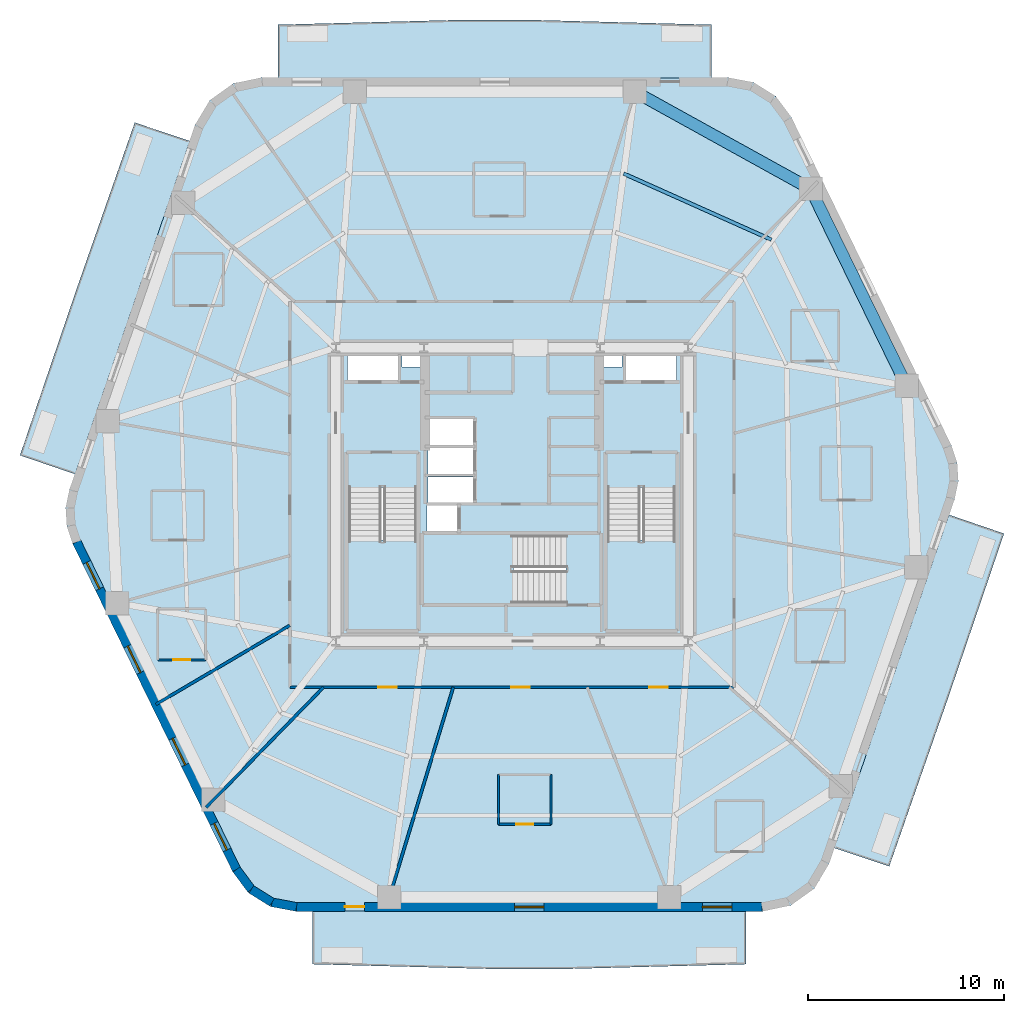
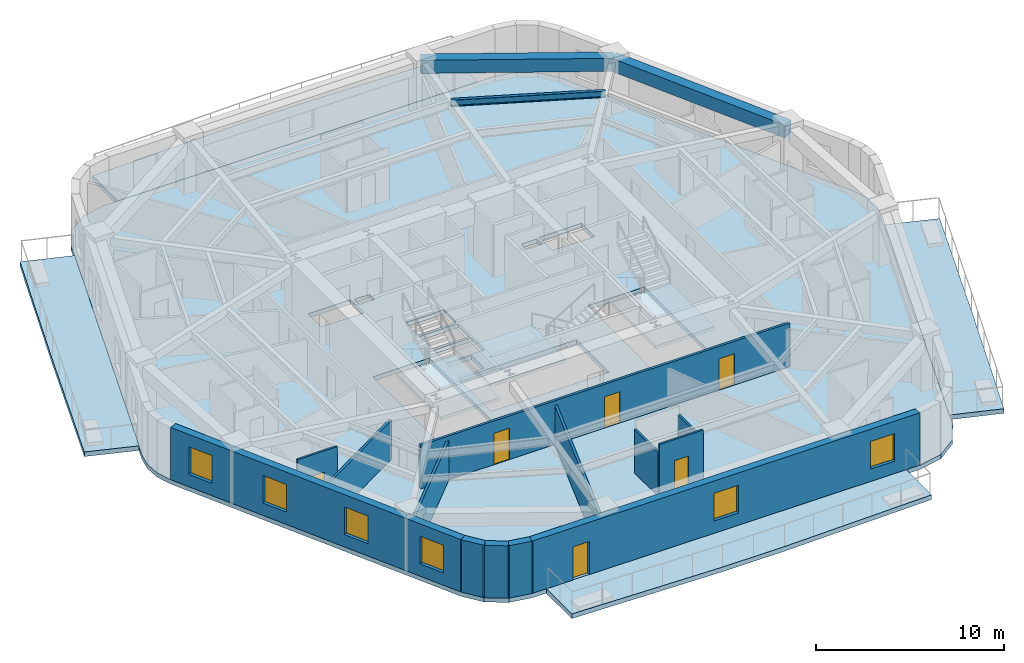
# One storey, part 2 of 8: 13 walls, 8 slabs, 6 doors, 6 windows, 3 beams, 12 openings, 3 elements without a shape of their own.
"""IFC4 building model written with IfcOpenShell, lengths in metres."""

from ifc_helpers import new_model, si_unit, direction, frame, frame_2d, origin, origin_2d, place, context, subcontext, project, spatial, polyline, rectangle, i_section, outline, extrude, material, layer, layer_set, material_profile, profile_set, type_object, element, fill, aggregate, save


model = new_model("IFC4")

# Units and contexts
model_context = context("Model", 3, precision=1e-05, world=origin(), true_north=direction((0.0, 1.0)))
body_context = subcontext(model_context, "Body", "Model", "MODEL_VIEW")
ifc_project = project(units=[si_unit("LENGTHUNIT", "METRE"), si_unit("AREAUNIT", "SQUARE_METRE"), si_unit("VOLUMEUNIT", "CUBIC_METRE"), si_unit("PLANEANGLEUNIT", "RADIAN"), si_unit("MASSUNIT", "GRAM", prefix="KILO")], contexts=[model_context])

# Site, building, storey
site_placement = place(None, origin())
site = spatial("IfcSite", under=ifc_project, at=site_placement, CompositionType="ELEMENT")
building_placement = place(site_placement, origin())
building = spatial("IfcBuilding", under=site, at=building_placement, Name="Kilnhurst Terrace Hotel", CompositionType="ELEMENT")
storey_placement = place(building_placement, frame((0.0, 0.0, 132.10009765625)))
storey = spatial("IfcBuildingStorey", under=building, at=storey_placement, Name="L32", CompositionType="ELEMENT", Elevation=132.10009765625)

# Beams
ifc_material_1 = material(Name="Concrete C50/60", Category="concrete")
ifc_material_profile_1 = material_profile(ifc_material_1, rectangle(XDim=0.60009765625, YDim=0.85009765625, at=origin_2d()), Name="RC600X850")
ifc_profile_set_1 = profile_set([ifc_material_profile_1], Name="Concrete C50/60")
beam_type_1 = type_object("IfcBeamType", Name="BM-SPN-600X850", PredefinedType="SPANDREL", material=ifc_profile_set_1)
beam_1_placement = place(storey_placement, frame((20.1640625, 5.549072265625, 2.974853515625), z_axis=(-0.438406012271, 0.89877704043, 0.0), x_axis=(-0.89877704043, -0.438406012271, 0.0)))
element("IfcBeam", 1, at=beam_1_placement, inside=storey, type_object=beam_type_1, Name="L32 Perimeter Spandrel Beam 5", PredefinedType="SPANDREL", context=body_context, shape_type="SweptSolid", body=[
    extrude(rectangle(XDim=0.60009765625, YDim=0.85009765625, at=origin_2d()), origin(), (0.0, 0.0, 1.0), 11.19287109375),
])
beam_2_placement = place(storey_placement, frame((15.257080078125, 15.60888671875, 2.974853515625), z_axis=(-0.875094010429, 0.483952965598, 0.0), x_axis=(-0.483952965598, -0.875094010429, 0.0)))
element("IfcBeam", 2, at=beam_2_placement, inside=storey, type_object=beam_type_1, Name="L32 Perimeter Spandrel Beam 6", PredefinedType="SPANDREL", context=body_context, shape_type="SweptSolid", body=[
    extrude(rectangle(XDim=0.60009765625, YDim=0.85009765625, at=origin_2d()), origin(), (0.0, 0.0, 1.0), 10.27197265625),
])
ifc_material_2 = material(Name="Steel ASTM A992 Grade 50", Category="steel")
ifc_material_profile_2 = material_profile(ifc_material_2, i_section(OverallWidth=0.180908203125, OverallDepth=0.417236328125, WebThickness=0.010986328125, FlangeThickness=0.018310546875, at=origin_2d()), Name="W16X57")
ifc_profile_set_2 = profile_set([ifc_material_profile_2], Name="Steel ASTM A992 Grade 50")
beam_type_2 = type_object("IfcBeamType", Name="JST-STL-W16X57", PredefinedType="JOIST", material=ifc_profile_set_2)
beam_3_placement = place(storey_placement, frame((13.2548828125, 13.01416015625, 3.19091796875), z_axis=(-0.912760935806, 0.408494154262, 0.0), x_axis=(-0.408494154262, -0.912760935806, 0.0)))
element("IfcBeam", 3, at=beam_3_placement, inside=storey, type_object=beam_type_2, Name="L32 Secondary Floor Steel Joist OUT.6", PredefinedType="JOIST", context=body_context, shape_type="SweptSolid", body=[
    extrude(i_section(OverallWidth=0.180908203125, OverallDepth=0.417236328125, WebThickness=0.010986328125, FlangeThickness=0.018310546875, at=origin_2d()), origin(), (0.0, 0.0, 1.0), 8.274658203125),
])

# Slabs
ifc_layer_1 = layer(ifc_material_1, 0.300048828125, Name="Concrete C50/60")
ifc_layer_set_1 = layer_set([ifc_layer_1], Name="Concrete C50/60")
slab_type_1 = type_object("IfcSlabType", Name="SLB-BAL-300", PredefinedType="FLOOR", material=ifc_layer_set_1)
slab_1_placement = place(storey_placement, frame((0.0, 0.0, -0.300048828125)))
element("IfcSlab", 4, at=slab_1_placement, inside=storey, type_object=slab_type_1, Name="L32 Cantilevered Planted Terrace Slab BAL-L1A", PredefinedType="FLOOR", context=body_context, shape_type="SweptSolid", body=[
    extrude(outline(polyline([(2.787841796875, -24.239990234375), (-1.027099609375, -24.239990234375), (-10.18310546875, -24.0), (-10.18310546875, -21.280029296875), (11.943603515625, -21.280029296875), (11.943603515625, -24.0), (2.787841796875, -24.239990234375)])), origin(), (0.0, 0.0, 1.0), 0.300048828125),
])
slab_2_placement = place(storey_placement, frame((0.0, 0.0, -0.300048828125)))
element("IfcSlab", 5, at=slab_2_placement, inside=storey, type_object=slab_type_1, Name="L32 Cantilevered Planted Terrace Slab BAL-L1B", PredefinedType="FLOOR", context=body_context, shape_type="SweptSolid", body=[
    extrude(outline(polyline([(19.273193359375, -19.0), (16.45751953125, -18.05615234375), (22.319091796875, -1.03466796875), (25.13623046875, -2.0), (22.233154296875, -10.52880859375), (19.273193359375, -19.0)])), origin(), (0.0, 0.0, 1.0), 0.300048828125),
])
slab_3_placement = place(storey_placement, frame((0.0, 0.0, -0.300048828125)))
element("IfcSlab", 6, at=slab_3_placement, inside=storey, type_object=slab_type_1, Name="L32 Cantilevered Planted Terrace Slab BAL-L2A", PredefinedType="FLOOR", context=body_context, shape_type="SweptSolid", body=[
    extrude(outline(polyline([(1.027099609375, 24.239990234375), (10.18310546875, 24.0), (10.18310546875, 21.280029296875), (-11.943603515625, 21.280029296875), (-11.943603515625, 24.0), (-2.787841796875, 24.239990234375), (1.027099609375, 24.239990234375)])), origin(), (0.0, 0.0, 1.0), 0.300048828125),
])
slab_4_placement = place(storey_placement, frame((0.0, 0.0, -0.300048828125)))
element("IfcSlab", 7, at=slab_4_placement, inside=storey, type_object=slab_type_1, Name="L32 Cantilevered Planted Terrace Slab BAL-L2B", PredefinedType="FLOOR", context=body_context, shape_type="SweptSolid", body=[
    extrude(outline(polyline([(-19.273193359375, 19.0), (-16.45751953125, 18.05615234375), (-22.319091796875, 1.03466796875), (-25.13623046875, 2.0), (-22.233154296875, 10.52880859375), (-19.273193359375, 19.0)])), origin(), (0.0, 0.0, 1.0), 0.300048828125),
])
ifc_layer_2 = layer(ifc_material_1, 0.280029296875, Name="Concrete C50/60")
ifc_layer_set_2 = layer_set([ifc_layer_2], Name="Concrete C50/60")
slab_type_2 = type_object("IfcSlabType", Name="SLB-FLR-280", PredefinedType="FLOOR", material=ifc_layer_set_2)
slab_5_placement = place(storey_placement, frame((0.0, 0.0, -0.280029296875)))
element("IfcSlab", 8, at=slab_5_placement, inside=storey, type_object=slab_type_2, Name="L32 Structural Floor Slab", PredefinedType="FLOOR", context=body_context, shape_type="SweptSolid", body=[
    extrude(outline(polyline([(-14.2685546875, -19.2783203125), (-13.472900390625, -20.34716796875), (-12.342529296875, -21.05322265625), (-11.032958984375, -21.300048828125), (12.793701171875, -21.300048828125), (14.23876953125, -20.997314453125), (15.44091796875, -20.139892578125), (16.197509765625, -18.872314453125), (22.614501953125, -0.238525390625), (22.8017578125, 0.6826171875), (22.744384765625, 1.62060546875), (22.4462890625, 2.51171875), (14.2685546875, 19.2783203125), (13.472900390625, 20.34716796875), (12.342529296875, 21.05322265625), (11.032958984375, 21.300048828125), (-12.793701171875, 21.300048828125), (-14.23876953125, 20.997314453125), (-15.44091796875, 20.139892578125), (-16.197509765625, 18.872314453125), (-22.614501953125, 0.238525390625), (-22.8017578125, -0.6826171875), (-22.744384765625, -1.62060546875), (-22.4462890625, -2.51171875), (-14.2685546875, -19.2783203125)]), holes=[polyline([(-8.35009765625, 0.35498046875), (-4.8798828125, 0.35498046875), (-4.8798828125, -6.89990234375), (-8.35009765625, -6.89990234375), (-8.35009765625, 0.35498046875)]), polyline([(-2.800048828125, -1.89990234375), (-4.35009765625, -1.89990234375), (-4.35009765625, -0.550048828125), (-2.800048828125, -0.550048828125), (-2.800048828125, -1.89990234375)]), polyline([(-1.949951171875, -0.429931640625), (-4.300048828125, -0.429931640625), (-4.300048828125, 0.89990234375), (-1.949951171875, 0.89990234375), (-1.949951171875, -0.429931640625)]), polyline([(-4.300048828125, 1.050048828125), (-4.300048828125, 2.3798828125), (-1.949951171875, 2.3798828125), (-1.949951171875, 1.050048828125), (-4.300048828125, 1.050048828125)]), polyline([(-8.39990234375, 5.75), (-8.39990234375, 7.14990234375), (-5.800048828125, 7.14990234375), (-5.800048828125, 5.75), (-8.39990234375, 5.75)]), polyline([(-4.659912109375, 6.52001953125), (-5.6201171875, 6.52001953125), (-5.6201171875, 7.080078125), (-4.659912109375, 7.080078125), (-4.659912109375, 6.52001953125)]), polyline([(2.7548828125, -5.550048828125), (-4.5, -5.550048828125), (-4.5, -2.080078125), (2.7548828125, -2.080078125), (2.7548828125, -5.550048828125)]), polyline([(8.35009765625, 0.35498046875), (8.35009765625, -6.89990234375), (4.8798828125, -6.89990234375), (4.8798828125, 0.35498046875), (8.35009765625, 0.35498046875)]), polyline([(-1.949951171875, 2.530029296875), (-4.300048828125, 2.530029296875), (-4.300048828125, 3.860107421875), (-1.949951171875, 3.860107421875), (-1.949951171875, 2.530029296875)]), polyline([(5.800048828125, 5.75), (5.800048828125, 7.14990234375), (8.39990234375, 7.14990234375), (8.39990234375, 5.75), (5.800048828125, 5.75)]), polyline([(4.659912109375, 6.52001953125), (4.659912109375, 7.080078125), (5.6201171875, 7.080078125), (5.6201171875, 6.52001953125), (4.659912109375, 6.52001953125)])]), origin(), (0.0, 0.0, 1.0), 0.280029296875),
])

# Stair, slab
stair_type = type_object("IfcStairType", Name="STR-CORE-1660", PredefinedType="HALF_TURN_STAIR", material=ifc_material_1)
stair_1_placement = place(storey_placement, origin())
stair_1 = element("IfcStair", 9, at=stair_1_placement, inside=storey, type_object=stair_type, Name="L32 ST-1", PredefinedType="HALF_TURN_STAIR")
ifc_layer_3 = layer(ifc_material_1, 0.199951171875, Name="Concrete C50/60")
ifc_layer_set_3 = layer_set([ifc_layer_3], Name="Concrete C50/60")
slab_type_3 = type_object("IfcSlabType", Name="SLB-ST-LND-200", PredefinedType="LANDING", material=ifc_layer_set_3)
slab_6_placement = place(storey_placement, frame((0.0, 0.0, 1.64990234375)))
slab_6 = element("IfcSlab", 10, at=slab_6_placement, type_object=slab_type_3, Name="ST-1 landing 1", PredefinedType="LANDING", context=body_context, shape_type="SweptSolid", body=[
    extrude(outline(polyline([(-8.429931640625, -2.330078125), (-4.800048828125, -2.330078125), (-4.800048828125, -6.97998046875), (-8.429931640625, -6.97998046875), (-8.429931640625, -2.330078125)])), origin(), (0.0, 0.0, 1.0), 0.199951171875),
])
aggregate(stair_1, [slab_6])

stair_2_placement = place(storey_placement, origin())
stair_2 = element("IfcStair", 11, at=stair_2_placement, inside=storey, type_object=stair_type, Name="L32 ST-2", PredefinedType="HALF_TURN_STAIR")
slab_7_placement = place(storey_placement, frame((0.0, 0.0, 1.64990234375)))
slab_7 = element("IfcSlab", 12, at=slab_7_placement, type_object=slab_type_3, Name="ST-2 landing 1", PredefinedType="LANDING", context=body_context, shape_type="SweptSolid", body=[
    extrude(outline(polyline([(4.800048828125, -2.330078125), (8.429931640625, -2.330078125), (8.429931640625, -6.97998046875), (4.800048828125, -6.97998046875), (4.800048828125, -2.330078125)])), origin(), (0.0, 0.0, 1.0), 0.199951171875),
])
aggregate(stair_2, [slab_7])

stair_3_placement = place(storey_placement, origin())
stair_3 = element("IfcStair", 13, at=stair_3_placement, inside=storey, type_object=stair_type, Name="L32 ST-3", PredefinedType="HALF_TURN_STAIR")
slab_8_placement = place(storey_placement, frame((0.0, 0.0, 1.64990234375)))
slab_8 = element("IfcSlab", 14, at=slab_8_placement, type_object=slab_type_3, Name="ST-3 landing 1", PredefinedType="LANDING", context=body_context, shape_type="SweptSolid", body=[
    extrude(outline(polyline([(0.070068359375, -2.0), (0.070068359375, -5.6298828125), (-4.580078125, -5.6298828125), (-4.580078125, -2.0), (0.070068359375, -2.0)])), origin(), (0.0, 0.0, 1.0), 0.199951171875),
])
aggregate(stair_3, [slab_8])

# Walls
ifc_material_3 = material(Name="Precast concrete C40/50", Category="concrete")
ifc_layer_4 = layer(ifc_material_3, 0.449951171875, Name="Precast concrete C40/50")
ifc_layer_set_4 = layer_set([ifc_layer_4], Name="Precast concrete C40/50")
wall_type_1 = type_object("IfcWallType", Name="WL-BRK-450", PredefinedType="SOLIDWALL", material=ifc_layer_set_4)
wall_1_placement = place(storey_placement, frame((-14.07568359375, -19.16064453125, 0.0), z_axis=(0.0, 0.0, 1.0), x_axis=(0.597226657159, -0.802072515412, 0.0)))
element("IfcWall", 15, at=wall_1_placement, inside=storey, type_object=wall_type_1, Name="L32 Rounded Corner Brick Wall C1.1", PredefinedType="SOLIDWALL", context=body_context, shape_type="SweptSolid", body=[
    extrude(rectangle(XDim=1.269287109375, YDim=0.449951171875, at=frame_2d((0.634765625, 0.0))), origin(), (0.0, 0.0, 1.0), 3.39990234375),
])
wall_2_placement = place(storey_placement, frame((-13.317626953125, -20.1787109375, 0.0), z_axis=(0.0, 0.0, 1.0), x_axis=(0.848031272749, -0.529946186362, 0.0)))
element("IfcWall", 16, at=wall_2_placement, inside=storey, type_object=wall_type_1, Name="L32 Rounded Corner Brick Wall C1.2", PredefinedType="SOLIDWALL", context=body_context, shape_type="SweptSolid", body=[
    extrude(rectangle(XDim=1.248046875, YDim=0.449951171875, at=frame_2d((0.6240234375, 0.0))), origin(), (0.0, 0.0, 1.0), 3.39990234375),
])
wall_3_placement = place(storey_placement, frame((-12.25927734375, -20.840087890625, 0.0), z_axis=(0.0, 0.0, 1.0), x_axis=(0.982730354425, -0.185043374624, 0.0)))
element("IfcWall", 17, at=wall_3_placement, inside=storey, type_object=wall_type_1, Name="L32 Rounded Corner Brick Wall C1.3", PredefinedType="SOLIDWALL", context=body_context, shape_type="SweptSolid", body=[
    extrude(rectangle(XDim=1.269287109375, YDim=0.449951171875, at=frame_2d((0.634765625, 0.0))), origin(), (0.0, 0.0, 1.0), 3.39990234375),
])

# Wall, openings, door, windows
wall_4_placement = place(storey_placement, frame((-11.011962890625, -21.074951171875, 0.0), z_axis=(0.0, 0.0, 1.0), x_axis=(1.0, 0.0, 0.0)))
wall_4 = element("IfcWall", 18, at=wall_4_placement, inside=storey, type_object=wall_type_1, Name="L32 Exterior Brick Facade Wall F1", PredefinedType="SOLIDWALL", context=body_context, shape_type="SweptSolid", body=[
    extrude(rectangle(XDim=23.782470703125, YDim=0.449951171875, at=frame_2d((11.89111328125, 0.0))), origin(), (0.0, 0.0, 1.0), 3.39990234375),
])
opening_1_placement = place(wall_4_placement, frame((2.472900390625, 0.0, 0.0)))
opening_1 = element("IfcOpeningElement", 19, at=opening_1_placement, cuts=wall_4, Name="Opening BD-1000", PredefinedType="OPENING", context=body_context, shape_type="SweptSolid", body=[
    extrude(rectangle(XDim=1.0, YDim=2.14990234375, at=frame_2d((0.5, 1.074951171875))), frame((0.0, 0.23486328125, 0.0), z_axis=(0.0, -1.0, 0.0), x_axis=(1.0, 0.0, 0.0)), (0.0, 0.0, 1.0), 0.469970703125),
])
opening_2_placement = place(wall_4_placement, frame((11.14208984375, 0.0, 0.800048828125)))
opening_2 = element("IfcOpeningElement", 20, at=opening_2_placement, cuts=wall_4, Name="Opening W-02", PredefinedType="OPENING", context=body_context, shape_type="SweptSolid", body=[
    extrude(rectangle(XDim=1.5, YDim=1.800048828125, at=frame_2d((0.75, 0.89990234375))), frame((0.0, 0.23486328125, 0.0), z_axis=(0.0, -1.0, 0.0), x_axis=(1.0, 0.0, 0.0)), (0.0, 0.0, 1.0), 0.469970703125),
])
opening_3_placement = place(wall_4_placement, frame((20.740966796875, 0.0, 0.800048828125)))
opening_3 = element("IfcOpeningElement", 21, at=opening_3_placement, cuts=wall_4, Name="Opening W-02", PredefinedType="OPENING", context=body_context, shape_type="SweptSolid", body=[
    extrude(rectangle(XDim=1.5, YDim=1.800048828125, at=frame_2d((0.75, 0.89990234375))), frame((0.0, 0.23486328125, 0.0), z_axis=(0.0, -1.0, 0.0), x_axis=(1.0, 0.0, 0.0)), (0.0, 0.0, 1.0), 0.469970703125),
])
ifc_material_4 = material(Name="Thermally Broken Bronze Aluminium Alloy 6063-T6 and Laminated Glass", Category="aluminium")
door_type_1 = type_object("IfcDoorType", Name="DR-EXT-BAL-1000", OperationType="NOTDEFINED", PredefinedType="DOOR", material=ifc_material_4)
door_1_placement = place(opening_1_placement, origin())
door_1 = element("IfcDoor", 22, at=door_1_placement, inside=storey, type_object=door_type_1, Name="L32 Planted Balcony Door BAL-L1A", OperationType="SINGLE_SWING_LEFT", OverallHeight=2.14990234375, OverallWidth=1.0, PredefinedType="DOOR", context=body_context, shape_type="SweptSolid", body=[
    extrude(rectangle(XDim=1.0, YDim=2.14990234375, at=frame_2d((0.5, 1.074951171875))), frame((0.0, 0.02490234375, 0.0), z_axis=(0.0, -1.0, 0.0), x_axis=(1.0, 0.0, 0.0)), (0.0, 0.0, 1.0), 0.050048828125),
])
fill(opening_1, door_1)
ifc_material_5 = material(Name="Thermally Broken Bronze Aluminium Alloy 6063-T6 and Low-E Glass", Category="aluminium")
window_type = type_object("IfcWindowType", Name="WIN-1500X1800", PartitioningType="SINGLE_PANEL", PredefinedType="WINDOW", material=ifc_material_5)
window_1_placement = place(opening_2_placement, origin())
window_1 = element("IfcWindow", 23, at=window_1_placement, inside=storey, type_object=window_type, Name="L32 Deep-Set Masonry Window F1.1", OverallHeight=1.800048828125, OverallWidth=1.5, PartitioningType="SINGLE_PANEL", PredefinedType="WINDOW", context=body_context, shape_type="SweptSolid", body=[
    extrude(rectangle(XDim=1.5, YDim=1.800048828125, at=frame_2d((0.75, 0.89990234375))), frame((0.0, 0.030029296875, 0.0), z_axis=(0.0, -1.0, 0.0), x_axis=(1.0, 0.0, 0.0)), (0.0, 0.0, 1.0), 0.06005859375),
])
fill(opening_2, window_1)
window_2_placement = place(opening_3_placement, origin())
window_2 = element("IfcWindow", 24, at=window_2_placement, inside=storey, type_object=window_type, Name="L32 Deep-Set Masonry Window F1.2", OverallHeight=1.800048828125, OverallWidth=1.5, PartitioningType="SINGLE_PANEL", PredefinedType="WINDOW", context=body_context, shape_type="SweptSolid", body=[
    extrude(rectangle(XDim=1.5, YDim=1.800048828125, at=frame_2d((0.75, 0.89990234375))), frame((0.0, 0.030029296875, 0.0), z_axis=(0.0, -1.0, 0.0), x_axis=(1.0, 0.0, 0.0)), (0.0, 0.0, 1.0), 0.06005859375),
])
fill(opening_3, window_2)

# Wall, openings, windows
wall_5_placement = place(storey_placement, frame((-22.237548828125, -2.426513671875, 0.0), z_axis=(0.0, 0.0, 1.0), x_axis=(0.438374803278, -0.898792262901, 0.0)))
wall_5 = element("IfcWall", 25, at=wall_5_placement, inside=storey, type_object=wall_type_1, Name="L32 Exterior Brick Facade Wall F6", PredefinedType="SOLIDWALL", context=body_context, shape_type="SweptSolid", body=[
    extrude(rectangle(XDim=18.618408203125, YDim=0.449951171875, at=frame_2d((9.30908203125, 0.0))), origin(), (0.0, 0.0, 1.0), 3.39990234375),
])
opening_4_placement = place(wall_5_placement, frame((1.1630859375, 0.0, 0.800048828125)))
opening_4 = element("IfcOpeningElement", 26, at=opening_4_placement, cuts=wall_5, Name="Opening W-02", PredefinedType="OPENING", context=body_context, shape_type="SweptSolid", body=[
    extrude(rectangle(XDim=1.5, YDim=1.800048828125, at=frame_2d((0.75, 0.89990234375))), frame((0.0, 0.23486328125, 0.0), z_axis=(0.0, -1.0, 0.0), x_axis=(1.0, 0.0, 0.0)), (0.0, 0.0, 1.0), 0.469970703125),
])
opening_5_placement = place(wall_5_placement, frame((5.926025390625, 0.0, 0.800048828125)))
opening_5 = element("IfcOpeningElement", 27, at=opening_5_placement, cuts=wall_5, Name="Opening W-02", PredefinedType="OPENING", context=body_context, shape_type="SweptSolid", body=[
    extrude(rectangle(XDim=1.5, YDim=1.800048828125, at=frame_2d((0.75, 0.89990234375))), frame((0.0, 0.23486328125, 0.0), z_axis=(0.0, -1.0, 0.0), x_axis=(1.0, 0.0, 0.0)), (0.0, 0.0, 1.0), 0.469970703125),
])
opening_6_placement = place(wall_5_placement, frame((11.1650390625, 0.0, 0.800048828125)))
opening_6 = element("IfcOpeningElement", 28, at=opening_6_placement, cuts=wall_5, Name="Opening W-02", PredefinedType="OPENING", context=body_context, shape_type="SweptSolid", body=[
    extrude(rectangle(XDim=1.5, YDim=1.800048828125, at=frame_2d((0.75, 0.89990234375))), frame((0.0, 0.23486328125, 0.0), z_axis=(0.0, -1.0, 0.0), x_axis=(1.0, 0.0, 0.0)), (0.0, 0.0, 1.0), 0.469970703125),
])
opening_7_placement = place(wall_5_placement, frame((16.006103515625, 0.0, 0.800048828125)))
opening_7 = element("IfcOpeningElement", 29, at=opening_7_placement, cuts=wall_5, Name="Opening W-02", PredefinedType="OPENING", context=body_context, shape_type="SweptSolid", body=[
    extrude(rectangle(XDim=1.5, YDim=1.800048828125, at=frame_2d((0.75, 0.89990234375))), frame((0.0, 0.23486328125, 0.0), z_axis=(0.0, -1.0, 0.0), x_axis=(1.0, 0.0, 0.0)), (0.0, 0.0, 1.0), 0.469970703125),
])
window_3_placement = place(opening_4_placement, origin())
window_3 = element("IfcWindow", 30, at=window_3_placement, inside=storey, type_object=window_type, Name="L32 Deep-Set Masonry Window F6.1", OverallHeight=1.800048828125, OverallWidth=1.5, PartitioningType="SINGLE_PANEL", PredefinedType="WINDOW", context=body_context, shape_type="SweptSolid", body=[
    extrude(rectangle(XDim=1.5, YDim=1.800048828125, at=frame_2d((0.75, 0.89990234375))), frame((0.0, 0.030029296875, 0.0), z_axis=(0.0, -1.0, 0.0), x_axis=(1.0, 0.0, 0.0)), (0.0, 0.0, 1.0), 0.06005859375),
])
fill(opening_4, window_3)
window_4_placement = place(opening_5_placement, origin())
window_4 = element("IfcWindow", 31, at=window_4_placement, inside=storey, type_object=window_type, Name="L32 Deep-Set Masonry Window F6.2", OverallHeight=1.800048828125, OverallWidth=1.5, PartitioningType="SINGLE_PANEL", PredefinedType="WINDOW", context=body_context, shape_type="SweptSolid", body=[
    extrude(rectangle(XDim=1.5, YDim=1.800048828125, at=frame_2d((0.75, 0.89990234375))), frame((0.0, 0.030029296875, 0.0), z_axis=(0.0, -1.0, 0.0), x_axis=(1.0, 0.0, 0.0)), (0.0, 0.0, 1.0), 0.06005859375),
])
fill(opening_5, window_4)
window_5_placement = place(opening_6_placement, origin())
window_5 = element("IfcWindow", 32, at=window_5_placement, inside=storey, type_object=window_type, Name="L32 Deep-Set Masonry Window F6.3", OverallHeight=1.800048828125, OverallWidth=1.5, PartitioningType="SINGLE_PANEL", PredefinedType="WINDOW", context=body_context, shape_type="SweptSolid", body=[
    extrude(rectangle(XDim=1.5, YDim=1.800048828125, at=frame_2d((0.75, 0.89990234375))), frame((0.0, 0.030029296875, 0.0), z_axis=(0.0, -1.0, 0.0), x_axis=(1.0, 0.0, 0.0)), (0.0, 0.0, 1.0), 0.06005859375),
])
fill(opening_6, window_5)
window_6_placement = place(opening_7_placement, origin())
window_6 = element("IfcWindow", 33, at=window_6_placement, inside=storey, type_object=window_type, Name="L32 Deep-Set Masonry Window F6.4", OverallHeight=1.800048828125, OverallWidth=1.5, PartitioningType="SINGLE_PANEL", PredefinedType="WINDOW", context=body_context, shape_type="SweptSolid", body=[
    extrude(rectangle(XDim=1.5, YDim=1.800048828125, at=frame_2d((0.75, 0.89990234375))), frame((0.0, 0.030029296875, 0.0), z_axis=(0.0, -1.0, 0.0), x_axis=(1.0, 0.0, 0.0)), (0.0, 0.0, 1.0), 0.06005859375),
])
fill(opening_7, window_6)

# Wall, openings, doors
ifc_material_6 = material(Name="Acoustic Double-Gypsum Corridor Partition Assembly")
ifc_layer_5 = layer(ifc_material_6, 0.14990234375, Name="Acoustic Double-Gypsum Corridor Partition Assembly")
ifc_layer_set_5 = layer_set([ifc_layer_5], Name="Acoustic Double-Gypsum Corridor Partition Assembly")
wall_type_2 = type_object("IfcWallType", Name="WL-COR-150", PredefinedType="PARTITIONING", material=ifc_layer_set_5)
wall_6_placement = place(storey_placement, frame((11.35009765625, -9.85009765625, 0.0), z_axis=(0.0, 0.0, 1.0), x_axis=(-1.0, 0.0, 0.0)))
wall_6 = element("IfcWall", 34, at=wall_6_placement, inside=storey, type_object=wall_type_2, Name="L32 Interior Wall WL-L32-COR-04", PredefinedType="PARTITIONING", context=body_context, shape_type="SweptSolid", body=[
    extrude(rectangle(XDim=22.7001953125, YDim=0.14990234375, at=frame_2d((11.35009765625, 0.0))), origin(), (0.0, 0.0, 1.0), 2.83984375),
])
opening_8_placement = place(wall_6_placement, frame((17.237060546875, 0.0, 0.0)))
opening_8 = element("IfcOpeningElement", 35, at=opening_8_placement, cuts=wall_6, Name="Opening D-60B", PredefinedType="OPENING", context=body_context, shape_type="SweptSolid", body=[
    extrude(rectangle(XDim=0.949951171875, YDim=2.030029296875, at=frame_2d((0.47509765625, 1.01513671875))), frame((0.0, 0.0849609375, 0.0), z_axis=(0.0, -1.0, 0.0), x_axis=(1.0, 0.0, 0.0)), (0.0, 0.0, 1.0), 0.169921875),
])
opening_9_placement = place(wall_6_placement, frame((10.449951171875, 0.0, 0.0)))
opening_9 = element("IfcOpeningElement", 36, at=opening_9_placement, cuts=wall_6, Name="Opening D-60B", PredefinedType="OPENING", context=body_context, shape_type="SweptSolid", body=[
    extrude(rectangle(XDim=0.949951171875, YDim=2.030029296875, at=frame_2d((0.47509765625, 1.01513671875))), frame((0.0, 0.0849609375, 0.0), z_axis=(0.0, -1.0, 0.0), x_axis=(1.0, 0.0, 0.0)), (0.0, 0.0, 1.0), 0.169921875),
])
opening_10_placement = place(wall_6_placement, frame((3.39892578125, 0.0, 0.0)))
opening_10 = element("IfcOpeningElement", 37, at=opening_10_placement, cuts=wall_6, Name="Opening D-60B", PredefinedType="OPENING", context=body_context, shape_type="SweptSolid", body=[
    extrude(rectangle(XDim=0.949951171875, YDim=2.030029296875, at=frame_2d((0.47509765625, 1.01513671875))), frame((0.0, 0.0849609375, 0.0), z_axis=(0.0, -1.0, 0.0), x_axis=(1.0, 0.0, 0.0)), (0.0, 0.0, 1.0), 0.169921875),
])
ifc_material_7 = material(Name="Acoustic Walnut Veneer Solid-Core Fire Door")
door_type_2 = type_object("IfcDoorType", Name="DR-FD60-950", OperationType="NOTDEFINED", PredefinedType="DOOR", material=ifc_material_7)
door_2_placement = place(opening_8_placement, origin())
door_2 = element("IfcDoor", 38, at=door_2_placement, inside=storey, type_object=door_type_2, Name="L32 Executive Study Door", OperationType="SINGLE_SWING_LEFT", OverallHeight=2.030029296875, OverallWidth=0.949951171875, PredefinedType="DOOR", context=body_context, shape_type="SweptSolid", body=[
    extrude(rectangle(XDim=0.949951171875, YDim=2.030029296875, at=frame_2d((0.47509765625, 1.01513671875))), frame((0.0, 0.02490234375, 0.0), z_axis=(0.0, -1.0, 0.0), x_axis=(1.0, 0.0, 0.0)), (0.0, 0.0, 1.0), 0.050048828125),
])
fill(opening_8, door_2)
door_3_placement = place(opening_9_placement, origin())
door_3 = element("IfcDoor", 39, at=door_3_placement, inside=storey, type_object=door_type_2, Name="L32 Executive Suite Entry Door 12", OperationType="SINGLE_SWING_RIGHT", OverallHeight=2.030029296875, OverallWidth=0.949951171875, PredefinedType="DOOR", context=body_context, shape_type="SweptSolid", body=[
    extrude(rectangle(XDim=0.949951171875, YDim=2.030029296875, at=frame_2d((0.47509765625, 1.01513671875))), frame((0.0, 0.02490234375, 0.0), z_axis=(0.0, -1.0, 0.0), x_axis=(1.0, 0.0, 0.0)), (0.0, 0.0, 1.0), 0.050048828125),
])
fill(opening_9, door_3)
door_4_placement = place(opening_10_placement, origin())
door_4 = element("IfcDoor", 40, at=door_4_placement, inside=storey, type_object=door_type_2, Name="L32 Executive Suite Entry Door 13", OperationType="SINGLE_SWING_LEFT", OverallHeight=2.030029296875, OverallWidth=0.949951171875, PredefinedType="DOOR", context=body_context, shape_type="SweptSolid", body=[
    extrude(rectangle(XDim=0.949951171875, YDim=2.030029296875, at=frame_2d((0.47509765625, 1.01513671875))), frame((0.0, 0.02490234375, 0.0), z_axis=(0.0, -1.0, 0.0), x_axis=(1.0, 0.0, 0.0)), (0.0, 0.0, 1.0), 0.050048828125),
])
fill(opening_10, door_4)

# Walls
ifc_material_8 = material(Name="STC-58 Acoustic Twin-Frame Guestroom Demising Partition")
ifc_layer_6 = layer(ifc_material_8, 0.14990234375, Name="STC-58 Acoustic Twin-Frame Guestroom Demising Partition")
ifc_layer_set_6 = layer_set([ifc_layer_6], Name="STC-58 Acoustic Twin-Frame Guestroom Demising Partition")
wall_type_3 = type_object("IfcWallType", Name="WL-DEM-150", PredefinedType="PARTITIONING", material=ifc_layer_set_6)
wall_7_placement = place(storey_placement, frame((-11.35009765625, -6.69091796875, 0.0), z_axis=(0.0, 0.0, 1.0), x_axis=(-0.861446954497, -0.507847560383, 0.0)))
element("IfcWall", 41, at=wall_7_placement, inside=storey, type_object=wall_type_3, Name="L32 Interior Wall WL-L32-DEM-MID07-10-1", PredefinedType="PARTITIONING", context=body_context, shape_type="SweptSolid", body=[
    extrude(rectangle(XDim=7.94091796875, YDim=0.14990234375, at=frame_2d((3.970458984375, 0.0))), origin(), (0.0, 0.0, 1.0), 2.539794921875),
])
wall_8_placement = place(storey_placement, frame((-9.6279296875, -9.85009765625, 0.0), z_axis=(0.0, 0.0, 1.0), x_axis=(-0.698992824326, -0.715128681805, 0.0)))
element("IfcWall", 42, at=wall_8_placement, inside=storey, type_object=wall_type_3, Name="L32 Interior Wall WL-L32-DEM-COL08-11-1", PredefinedType="PARTITIONING", context=body_context, shape_type="SweptSolid", body=[
    extrude(rectangle(XDim=8.578857421875, YDim=0.14990234375, at=frame_2d((4.28955078125, 0.0))), origin(), (0.0, 0.0, 1.0), 2.539794921875),
])
wall_9_placement = place(storey_placement, frame((-3.0, -9.85009765625, 0.0), z_axis=(0.0, 0.0, 1.0), x_axis=(-0.291352035382, -0.95661590593, 0.0)))
element("IfcWall", 43, at=wall_9_placement, inside=storey, type_object=wall_type_3, Name="L32 Interior Wall WL-L32-DEM-COL09-12-1", PredefinedType="PARTITIONING", context=body_context, shape_type="SweptSolid", body=[
    extrude(rectangle(XDim=11.73388671875, YDim=0.14990234375, at=frame_2d((5.866943359375, 0.0))), origin(), (0.0, 0.0, 1.0), 2.539794921875),
])

# Wall, opening, door
ifc_material_9 = material(Name="120 mm Moisture-Resistant Tile-Backed Bathroom Partition")
ifc_layer_7 = layer(ifc_material_9, 0.1201171875, Name="120 mm Moisture-Resistant Tile-Backed Bathroom Partition")
ifc_layer_set_7 = layer_set([ifc_layer_7], Name="120 mm Moisture-Resistant Tile-Backed Bathroom Partition")
wall_type_4 = type_object("IfcWallType", Name="WL-PART-120", PredefinedType="PARTITIONING", material=ifc_layer_set_7)
wall_10_placement = place(storey_placement, frame((-18.093994140625, -8.4560546875, 0.0), z_axis=(0.0, 0.0, 1.0), x_axis=(1.0, 0.0, 0.0)))
wall_10 = element("IfcWall", 44, at=wall_10_placement, inside=storey, type_object=wall_type_4, Name="L32 Interior Wall WL-L32-BTH-09-1", PredefinedType="PARTITIONING", context=body_context, shape_type="SweptSolid", body=[
    extrude(rectangle(XDim=2.43994140625, YDim=0.1201171875, at=frame_2d((1.219970703125, 0.0))), origin(), (0.0, 0.0, 1.0), 3.39990234375),
])
opening_11_placement = place(wall_10_placement, frame((0.794921875, 0.0, 0.0)))
opening_11 = element("IfcOpeningElement", 45, at=opening_11_placement, cuts=wall_10, Name="Opening D-08A", PredefinedType="OPENING", context=body_context, shape_type="SweptSolid", body=[
    extrude(rectangle(XDim=0.85009765625, YDim=2.030029296875, at=frame_2d((0.425048828125, 1.01513671875))), frame((0.0, 0.070068359375, 0.0), z_axis=(0.0, -1.0, 0.0), x_axis=(1.0, 0.0, 0.0)), (0.0, 0.0, 1.0), 0.14013671875),
])
ifc_material_10 = material(Name="Moisture-Resistant Lacquered En-suite Bathroom Door")
door_type_3 = type_object("IfcDoorType", Name="DR-INT-850", OperationType="NOTDEFINED", PredefinedType="DOOR", material=ifc_material_10)
door_5_placement = place(opening_11_placement, origin())
door_5 = element("IfcDoor", 46, at=door_5_placement, inside=storey, type_object=door_type_3, Name="L32 En-suite Bathroom Door 9", OperationType="SINGLE_SWING_RIGHT", OverallHeight=2.030029296875, OverallWidth=0.85009765625, PredefinedType="DOOR", context=body_context, shape_type="SweptSolid", body=[
    extrude(rectangle(XDim=0.85009765625, YDim=2.030029296875, at=frame_2d((0.425048828125, 1.01513671875))), frame((0.0, 0.02490234375, 0.0), z_axis=(0.0, -1.0, 0.0), x_axis=(1.0, 0.0, 0.0)), (0.0, 0.0, 1.0), 0.050048828125),
])
fill(opening_11, door_5)

wall_11_placement = place(storey_placement, frame((-0.68798828125, -16.85693359375, 0.0), z_axis=(0.0, 0.0, 1.0), x_axis=(1.0, 0.0, 0.0)))
wall_11 = element("IfcWall", 47, at=wall_11_placement, inside=storey, type_object=wall_type_4, Name="L32 Interior Wall WL-L32-BTH-12-1", PredefinedType="PARTITIONING", context=body_context, shape_type="SweptSolid", body=[
    extrude(rectangle(XDim=2.679931640625, YDim=0.1201171875, at=frame_2d((1.33984375, 0.0))), origin(), (0.0, 0.0, 1.0), 3.39990234375),
])
opening_12_placement = place(wall_11_placement, frame((0.9150390625, 0.0, 0.0)))
opening_12 = element("IfcOpeningElement", 48, at=opening_12_placement, cuts=wall_11, Name="Opening D-08A", PredefinedType="OPENING", context=body_context, shape_type="SweptSolid", body=[
    extrude(rectangle(XDim=0.85009765625, YDim=2.030029296875, at=frame_2d((0.425048828125, 1.01513671875))), frame((0.0, 0.070068359375, 0.0), z_axis=(0.0, -1.0, 0.0), x_axis=(1.0, 0.0, 0.0)), (0.0, 0.0, 1.0), 0.14013671875),
])
door_6_placement = place(opening_12_placement, origin())
door_6 = element("IfcDoor", 49, at=door_6_placement, inside=storey, type_object=door_type_3, Name="L32 En-suite Bathroom Door 12", OperationType="SINGLE_SWING_LEFT", OverallHeight=2.030029296875, OverallWidth=0.85009765625, PredefinedType="DOOR", context=body_context, shape_type="SweptSolid", body=[
    extrude(rectangle(XDim=0.85009765625, YDim=2.030029296875, at=frame_2d((0.425048828125, 1.01513671875))), frame((0.0, 0.02490234375, 0.0), z_axis=(0.0, -1.0, 0.0), x_axis=(1.0, 0.0, 0.0)), (0.0, 0.0, 1.0), 0.050048828125),
])
fill(opening_12, door_6)

# Walls
for number, where, z_axis, x_axis, name in (
    (50, (1.991943359375, -16.85693359375, 0.0), (0.0, 0.0, 1.0), (0.0, 1.0, 0.0), "L32 Interior Wall WL-L32-BTH-12-2"),
    (51, (-0.68798828125, -14.31689453125, 0.0), (0.0, 0.0, 1.0), (0.0, -1.0, 0.0), "L32 Interior Wall WL-L32-BTH-12-4"),
):
    element("IfcWall", number, at=place(storey_placement, frame(where, z_axis=z_axis, x_axis=x_axis)), inside=storey, type_object=wall_type_4, Name=name, PredefinedType="PARTITIONING", context=body_context, shape_type="SweptSolid", body=[
        extrude(rectangle(XDim=2.5400390625, YDim=0.1201171875, at=frame_2d((1.27001953125, 0.0))), origin(), (0.0, 0.0, 1.0), 2.84033203125),
    ])

save(model, "model.ifc")
